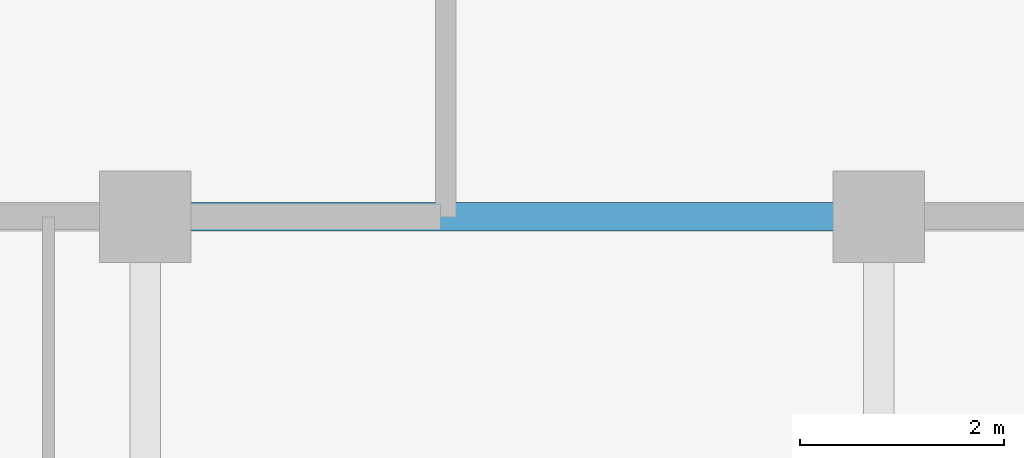
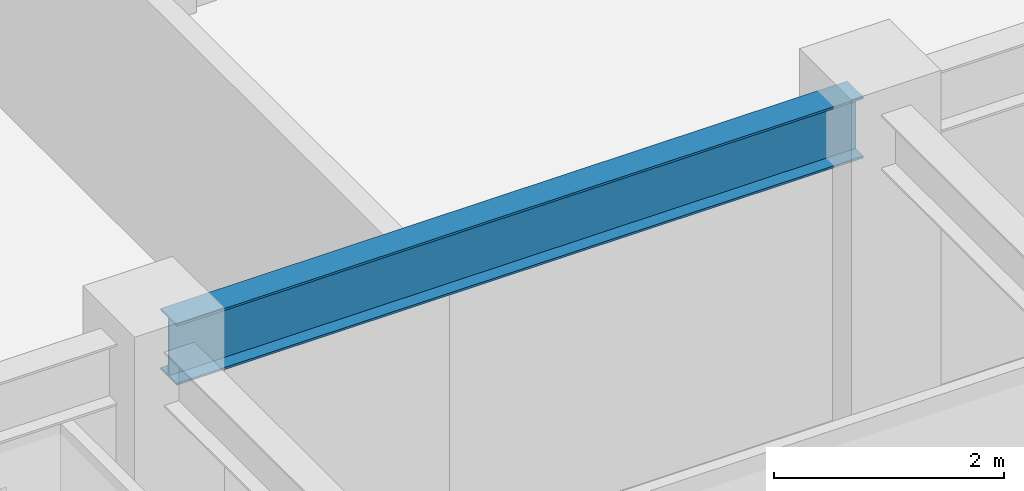
# One storey, part 6 of 23: 1 beam.
"""IFC4 building model written with IfcOpenShell, lengths in metres."""

from ifc_helpers import new_model, si_unit, direction, frame, origin, origin_2d, place, context, subcontext, project, spatial, i_section, extrude, source, transform, mapped, material, material_profile, profile_set, type_object, element, save


model = new_model("IFC4")

# Units and contexts
model_context = context("Model", 3, precision=1e-05, world=origin(), true_north=direction((0.0, 1.0)))
body_context = subcontext(model_context, "Body", "Model", "MODEL_VIEW")
ifc_project = project(units=[si_unit("LENGTHUNIT", "METRE"), si_unit("AREAUNIT", "SQUARE_METRE"), si_unit("VOLUMEUNIT", "CUBIC_METRE"), si_unit("PLANEANGLEUNIT", "RADIAN"), si_unit("MASSUNIT", "GRAM", prefix="KILO")], contexts=[model_context])

# Site, building, storey
site_placement = place(None, origin())
site = spatial("IfcSite", under=ifc_project, at=site_placement, CompositionType="ELEMENT")
building_placement = place(site_placement, origin())
building = spatial("IfcBuilding", under=site, at=building_placement, Name="Trelvane Seafront Commons", CompositionType="ELEMENT")
storey_placement = place(building_placement, frame((0.0, 0.0, 63.10009765625)))
storey = spatial("IfcBuildingStorey", under=building, at=storey_placement, Name="L16", CompositionType="ELEMENT", Elevation=63.10009765625)

# Beam
ifc_material = material(Name="Steel SM355 (S355)", Category="steel")
ifc_material_profile = material_profile(ifc_material, i_section(OverallWidth=0.280029296875, OverallDepth=0.64990234375, WebThickness=0.012939453125, FlangeThickness=0.02197265625, at=origin_2d()), Name="H-650x280x13x22")
ifc_profile_set = profile_set([ifc_material_profile], Name="Steel SM355 (S355)")
beam_type = type_object("IfcBeamType", Name="STR-BM-H650", PredefinedType="BEAM", material=ifc_profile_set)
shared_shape = source(origin(), body_context, "Body", "SweptSolid", [
    extrude(i_section(OverallWidth=0.280029296875, OverallDepth=0.64990234375, WebThickness=0.012939453125, FlangeThickness=0.02197265625, at=origin_2d()), origin(), (0.0, 0.0, 1.0), 6.89990234375),
])
beam_placement = place(storey_placement, frame((23.550048828125, 33.39990234375, 3.014892578125), z_axis=(1.0, 0.0, 0.0), x_axis=(0.0, 1.0, 0.0)))
element("IfcBeam", 1, at=beam_placement, inside=storey, type_object=beam_type, Name="L16 Primary Girder G-22", PredefinedType="BEAM", context=body_context, shape_type="MappedRepresentation", body=[
    mapped(shared_shape, transform((0.0, 0.0, 0.0), x_axis=(1.0, 0.0, 0.0), y_axis=(0.0, 1.0, 0.0), z_axis=(0.0, 0.0, 1.0), scale=1.0)),
])

save(model, "model.ifc")
